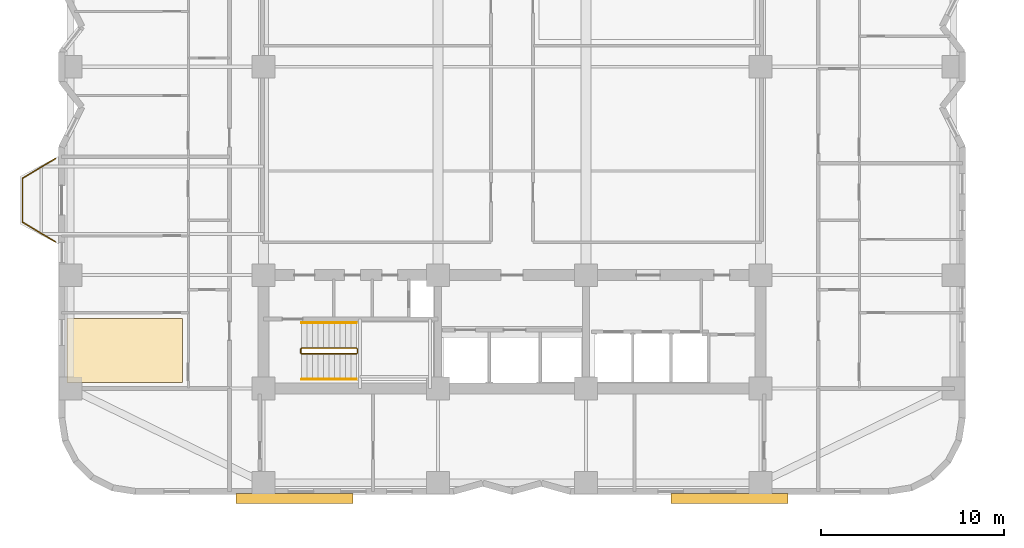
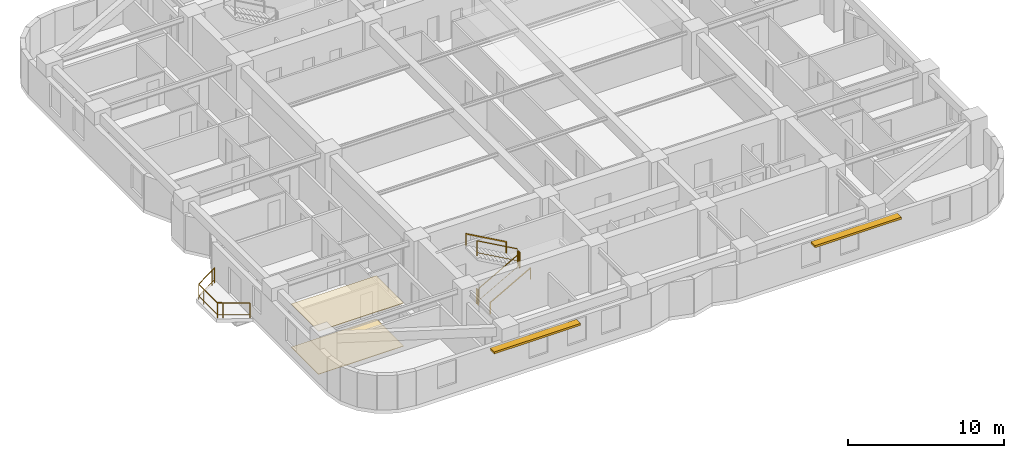
# One storey, part 9 of 10: 7 railings, 2 coverings, 2 shading devices.
"""IFC4 building model written with IfcOpenShell, lengths in metres."""

from ifc_helpers import new_model, si_unit, direction, frame, origin, origin_2d, place, context, subcontext, project, spatial, polyline, rectangle, outline, extrude, material, layer, layer_set, type_object, element, save


model = new_model("IFC4")

# Units and contexts
model_context = context("Model", 3, precision=1e-05, world=origin(), true_north=direction((0.0, 1.0)))
body_context = subcontext(model_context, "Body", "Model", "MODEL_VIEW")
ifc_project = project(units=[si_unit("LENGTHUNIT", "METRE"), si_unit("AREAUNIT", "SQUARE_METRE"), si_unit("VOLUMEUNIT", "CUBIC_METRE"), si_unit("PLANEANGLEUNIT", "RADIAN"), si_unit("MASSUNIT", "GRAM", prefix="KILO")], contexts=[model_context])

# Site, building, storey
site_placement = place(None, origin())
site = spatial("IfcSite", under=ifc_project, at=site_placement, CompositionType="ELEMENT")
building_placement = place(site_placement, origin())
building = spatial("IfcBuilding", under=site, at=building_placement, Name="Svetorya Sky Lyceum", CompositionType="ELEMENT")
storey_placement = place(building_placement, frame((0.0, 0.0, 69.5)))
storey = spatial("IfcBuildingStorey", under=building, at=storey_placement, Name="L17", CompositionType="ELEMENT", Elevation=69.5)

# Coverings
ifc_material_1 = material(Name="Anodized aluminium linear acoustic ceiling baffle", Category="aluminium")
ifc_layer_1 = layer(ifc_material_1, 0.0400390625)
ifc_layer_set_1 = layer_set([ifc_layer_1], Name="Anodized aluminium linear acoustic ceiling baffle")
covering_type_1 = type_object("IfcCoveringType", Name="COV-CLG-BAF40", PredefinedType="CEILING", material=ifc_layer_set_1)
covering_1_placement = place(storey_placement, frame((0.0, 0.0, 3.3798828125)))
element("IfcCovering", 1, at=covering_1_placement, inside=storey, type_object=covering_type_1, Name="Apartment W1 Living Room Acoustic Ceiling", PredefinedType="CEILING", context=body_context, shape_type="SweptSolid", body=[
    extrude(outline(polyline([(14.8701171875, 10.929931640625), (21.18994140625, 10.929931640625), (21.18994140625, 14.43994140625), (14.8701171875, 14.43994140625), (14.8701171875, 10.929931640625)])), origin(), (0.0, 0.0, 1.0), 0.0400390625),
])
ifc_material_2 = material(Name="Flamed granite slip-resistant lobby flooring", Category="masonry")
ifc_layer_2 = layer(ifc_material_2, 0.034912109375)
ifc_layer_set_2 = layer_set([ifc_layer_2], Name="Flamed granite slip-resistant lobby flooring")
covering_type_2 = type_object("IfcCoveringType", Name="COV-FLR-GRN", PredefinedType="FLOORING", material=ifc_layer_set_2)
covering_2_placement = place(storey_placement, origin())
element("IfcCovering", 2, at=covering_2_placement, inside=storey, type_object=covering_type_2, Name="Apartment W1 Living Room Architectural Flooring", PredefinedType="FLOORING", context=body_context, shape_type="SweptSolid", body=[
    extrude(outline(polyline([(14.8701171875, 10.929931640625), (21.18994140625, 10.929931640625), (21.18994140625, 14.43994140625), (14.8701171875, 14.43994140625), (14.8701171875, 10.929931640625)])), origin(), (0.0, 0.0, 1.0), 0.034912109375),
])

# Railings
ifc_material_3 = material(Name="Laminated safety glass and stainless AISI 316", Category="glass")
railing_type_1 = type_object("IfcRailingType", Name="RL-BAL-1200", PredefinedType="BALUSTRADE", material=ifc_material_3)
railing_1_placement = place(storey_placement, frame((14.22998046875, 18.6201171875, 0.0)))
element("IfcRailing", 3, at=railing_1_placement, inside=storey, type_object=railing_type_1, Name="L17 Balcony Balustrade BAL-W1", PredefinedType="BALUSTRADE", context=body_context, shape_type="SweptSolid", body=[
    extrude(rectangle(XDim=0.048095703125, YDim=0.048095703125, at=origin_2d()), frame((0.0, 0.0, 1.17578125), z_axis=(-0.85753397263, 0.514427337711, 0.0), x_axis=(-0.514427337711, -0.85753397263, 0.0)), (0.0, 0.0, 1.0), 2.09912109375),
    extrude(rectangle(XDim=0.02392578125, YDim=0.02392578125, at=origin_2d()), frame((0.0, 0.0, 0.25), z_axis=(-0.85753397263, 0.514427337711, 0.0), x_axis=(-0.514427337711, -0.85753397263, 0.0)), (0.0, 0.0, 1.0), 2.09912109375),
    extrude(rectangle(XDim=0.048095703125, YDim=0.048095703125, at=origin_2d()), frame((-1.800048828125, 1.079833984375, 1.17578125), z_axis=(0.0, 1.0, 0.0), x_axis=(-1.0, 0.0, 0.0)), (0.0, 0.0, 1.0), 2.400146484375),
    extrude(rectangle(XDim=0.02392578125, YDim=0.02392578125, at=origin_2d()), frame((-1.800048828125, 1.079833984375, 0.25), z_axis=(0.0, 1.0, 0.0), x_axis=(-1.0, 0.0, 0.0)), (0.0, 0.0, 1.0), 2.400146484375),
    extrude(rectangle(XDim=0.048095703125, YDim=0.048095703125, at=origin_2d()), frame((-1.800048828125, 3.47998046875, 1.17578125), z_axis=(0.85753397263, 0.514427337711, 0.0), x_axis=(-0.514427337711, 0.85753397263, 0.0)), (0.0, 0.0, 1.0), 2.09912109375),
    extrude(rectangle(XDim=0.02392578125, YDim=0.02392578125, at=origin_2d()), frame((-1.800048828125, 3.47998046875, 0.25), z_axis=(0.85753397263, 0.514427337711, 0.0), x_axis=(-0.514427337711, 0.85753397263, 0.0)), (0.0, 0.0, 1.0), 2.09912109375),
    extrude(rectangle(XDim=0.0419921875, YDim=0.0419921875, at=origin_2d()), origin(), (0.0, 0.0, 1.0), 1.15185546875),
    extrude(rectangle(XDim=0.0419921875, YDim=0.0419921875, at=origin_2d()), frame((-1.500732421875, 0.900146484375, 0.0)), (0.0, 0.0, 1.0), 1.15185546875),
    extrude(rectangle(XDim=0.0419921875, YDim=0.0419921875, at=origin_2d()), frame((-1.800048828125, 1.079833984375, 0.0)), (0.0, 0.0, 1.0), 1.15185546875),
    extrude(rectangle(XDim=0.0419921875, YDim=0.0419921875, at=origin_2d()), frame((-1.800048828125, 2.829833984375, 0.0)), (0.0, 0.0, 1.0), 1.15185546875),
    extrude(rectangle(XDim=0.0419921875, YDim=0.0419921875, at=origin_2d()), frame((-1.800048828125, 3.47998046875, 0.0)), (0.0, 0.0, 1.0), 1.15185546875),
    extrude(rectangle(XDim=0.0419921875, YDim=0.0419921875, at=origin_2d()), frame((-0.29931640625, 4.380126953125, 0.0)), (0.0, 0.0, 1.0), 1.15185546875),
    extrude(rectangle(XDim=0.0419921875, YDim=0.0419921875, at=origin_2d()), frame((0.0, 4.559814453125, 0.0)), (0.0, 0.0, 1.0), 1.15185546875),
])
ifc_material_4 = material(Name="Painted galvanized stair well guard")
railing_type_2 = type_object("IfcRailingType", Name="RL-STR-GUARD-1200", PredefinedType="GUARDRAIL", material=ifc_material_4)
railing_2_placement = place(storey_placement, frame((27.699951171875, 12.5, 0.168212890625)))
element("IfcRailing", 4, at=railing_2_placement, inside=storey, type_object=railing_type_2, Name="L17 ST-S stair guard 1", PredefinedType="GUARDRAIL", context=body_context, shape_type="SweptSolid", body=[
    extrude(rectangle(XDim=0.048095703125, YDim=0.048095703125, at=origin_2d()), frame((0.0, 0.0, 1.17578125), z_axis=(0.872272294576, 0.0, 0.489020494575), x_axis=(0.0, 1.0, 0.0)), (0.0, 0.0, 1.0), 3.439208984375),
    extrude(rectangle(XDim=0.02392578125, YDim=0.02392578125, at=origin_2d()), frame((0.0, 0.0, 0.25), z_axis=(0.872272294576, 0.0, 0.489020494575), x_axis=(0.0, 1.0, 0.0)), (0.0, 0.0, 1.0), 3.439208984375),
    extrude(rectangle(XDim=0.0419921875, YDim=0.0419921875, at=origin_2d()), origin(), (0.0, 0.0, 1.0), 1.15185546875),
    extrude(rectangle(XDim=0.0419921875, YDim=0.0419921875, at=origin_2d()), frame((3.0, 0.0, 1.681884765625)), (0.0, 0.0, 1.0), 1.15185546875),
])
railing_3_placement = place(storey_placement, frame((30.75, 12.550048828125, 1.85009765625)))
element("IfcRailing", 5, at=railing_3_placement, inside=storey, type_object=railing_type_2, Name="L17 ST-S stair guard 2", PredefinedType="GUARDRAIL", context=body_context, shape_type="SweptSolid", body=[
    extrude(rectangle(XDim=0.048095703125, YDim=0.048095703125, at=origin_2d()), frame((0.0, 0.0, 1.17578125), z_axis=(0.0, 1.0, 0.0), x_axis=(-1.0, 0.0, 0.0)), (0.0, 0.0, 1.0), 0.199951171875),
    extrude(rectangle(XDim=0.02392578125, YDim=0.02392578125, at=origin_2d()), frame((0.0, 0.0, 0.25), z_axis=(0.0, 1.0, 0.0), x_axis=(-1.0, 0.0, 0.0)), (0.0, 0.0, 1.0), 0.199951171875),
    extrude(rectangle(XDim=0.0419921875, YDim=0.0419921875, at=origin_2d()), origin(), (0.0, 0.0, 1.0), 1.15185546875),
    extrude(rectangle(XDim=0.0419921875, YDim=0.0419921875, at=origin_2d()), frame((0.0, 0.199951171875, 0.0)), (0.0, 0.0, 1.0), 1.15185546875),
])
railing_4_placement = place(storey_placement, frame((30.699951171875, 12.800048828125, 2.01806640625)))
element("IfcRailing", 6, at=railing_4_placement, inside=storey, type_object=railing_type_2, Name="L17 ST-S stair guard 3", PredefinedType="GUARDRAIL", context=body_context, shape_type="SweptSolid", body=[
    extrude(rectangle(XDim=0.048095703125, YDim=0.048095703125, at=origin_2d()), frame((0.0, 0.0, 1.17578125), z_axis=(-0.872272294576, 0.0, 0.489020494575), x_axis=(0.0, -1.0, 0.0)), (0.0, 0.0, 1.0), 3.439208984375),
    extrude(rectangle(XDim=0.02392578125, YDim=0.02392578125, at=origin_2d()), frame((0.0, 0.0, 0.25), z_axis=(-0.872272294576, 0.0, 0.489020494575), x_axis=(0.0, -1.0, 0.0)), (0.0, 0.0, 1.0), 3.439208984375),
    extrude(rectangle(XDim=0.0419921875, YDim=0.0419921875, at=origin_2d()), origin(), (0.0, 0.0, 1.0), 1.15185546875),
    extrude(rectangle(XDim=0.0419921875, YDim=0.0419921875, at=origin_2d()), frame((-3.0, 0.0, 1.681884765625)), (0.0, 0.0, 1.0), 1.15185546875),
])
railing_5_placement = place(storey_placement, frame((27.64990234375, 12.550048828125, 0.0)))
element("IfcRailing", 7, at=railing_5_placement, inside=storey, type_object=railing_type_2, Name="L17 ST-S stair guard 4", PredefinedType="GUARDRAIL", context=body_context, shape_type="SweptSolid", body=[
    extrude(rectangle(XDim=0.048095703125, YDim=0.048095703125, at=origin_2d()), frame((0.0, 0.0, 1.17578125), z_axis=(0.0, 1.0, 0.0), x_axis=(-1.0, 0.0, 0.0)), (0.0, 0.0, 1.0), 0.199951171875),
    extrude(rectangle(XDim=0.02392578125, YDim=0.02392578125, at=origin_2d()), frame((0.0, 0.0, 0.25), z_axis=(0.0, 1.0, 0.0), x_axis=(-1.0, 0.0, 0.0)), (0.0, 0.0, 1.0), 0.199951171875),
    extrude(rectangle(XDim=0.0419921875, YDim=0.0419921875, at=origin_2d()), origin(), (0.0, 0.0, 1.0), 1.15185546875),
    extrude(rectangle(XDim=0.0419921875, YDim=0.0419921875, at=origin_2d()), frame((0.0, 0.199951171875, 0.0)), (0.0, 0.0, 1.0), 1.15185546875),
])
ifc_material_5 = material(Name="Brushed stainless AISI 304 stair handrail")
railing_type_3 = type_object("IfcRailingType", Name="RL-STR-HAND-920", PredefinedType="HANDRAIL", material=ifc_material_5)
railing_6_placement = place(storey_placement, frame((27.699951171875, 11.10009765625, 0.168212890625)))
element("IfcRailing", 8, at=railing_6_placement, inside=storey, type_object=railing_type_3, Name="L17 ST-S stair handrail 1", PredefinedType="HANDRAIL", context=body_context, shape_type="SweptSolid", body=[
    extrude(rectangle(XDim=0.048095703125, YDim=0.048095703125, at=origin_2d()), frame((0.0, 0.0, 0.8759765625), z_axis=(0.872272294576, 0.0, 0.489020494575), x_axis=(0.0, 1.0, 0.0)), (0.0, 0.0, 1.0), 3.439208984375),
    extrude(rectangle(XDim=0.0419921875, YDim=0.0419921875, at=origin_2d()), origin(), (0.0, 0.0, 1.0), 0.851806640625),
    extrude(rectangle(XDim=0.0419921875, YDim=0.0419921875, at=origin_2d()), frame((3.0, 0.0, 1.681884765625)), (0.0, 0.0, 1.0), 0.851806640625),
])
railing_7_placement = place(storey_placement, frame((30.699951171875, 14.199951171875, 2.01806640625)))
element("IfcRailing", 9, at=railing_7_placement, inside=storey, type_object=railing_type_3, Name="L17 ST-S stair handrail 2", PredefinedType="HANDRAIL", context=body_context, shape_type="SweptSolid", body=[
    extrude(rectangle(XDim=0.048095703125, YDim=0.048095703125, at=origin_2d()), frame((0.0, 0.0, 0.8759765625), z_axis=(-0.872272294576, 0.0, 0.489020494575), x_axis=(0.0, -1.0, 0.0)), (0.0, 0.0, 1.0), 3.439208984375),
    extrude(rectangle(XDim=0.0419921875, YDim=0.0419921875, at=origin_2d()), origin(), (0.0, 0.0, 1.0), 0.851806640625),
    extrude(rectangle(XDim=0.0419921875, YDim=0.0419921875, at=origin_2d()), frame((-3.0, 0.0, 1.681884765625)), (0.0, 0.0, 1.0), 0.851806640625),
])

# Shading devices
ifc_material_6 = material(Name="Champagne-anodized extruded aluminium sunshade", Category="aluminium")
ifc_layer_3 = layer(ifc_material_6, 0.159912109375)
ifc_layer_set_3 = layer_set([ifc_layer_3], Name="Champagne-anodized extruded aluminium sunshade")
shading_device_type = type_object("IfcShadingDeviceType", Name="SHD-LVR-540", PredefinedType="AWNING", material=ifc_layer_set_3)
for number, where, z_axis, x_axis, name in (
    (10, (27.300048828125, 4.580078125, 2.39990234375), (0.0, 0.0, 1.0), (1.0, 0.0, 0.0), "L17 Solar Brise-Soleil SHD-1.6M"),
    (11, (51.10009765625, 4.580078125, 2.39990234375), (0.0, 0.0, 1.0), (1.0, 0.0, 0.0), "L17 Solar Brise-Soleil SHD-1.11M"),
):
    element("IfcShadingDevice", number, at=place(storey_placement, frame(where, z_axis=z_axis, x_axis=x_axis)), inside=storey, type_object=shading_device_type, Name=name, PredefinedType="AWNING", context=body_context, shape_type="SweptSolid", body=[
        extrude(rectangle(XDim=6.39990234375, YDim=0.5400390625, at=origin_2d()), origin(), (0.0, 0.0, 1.0), 0.159912109375),
    ])

save(model, "model.ifc")
